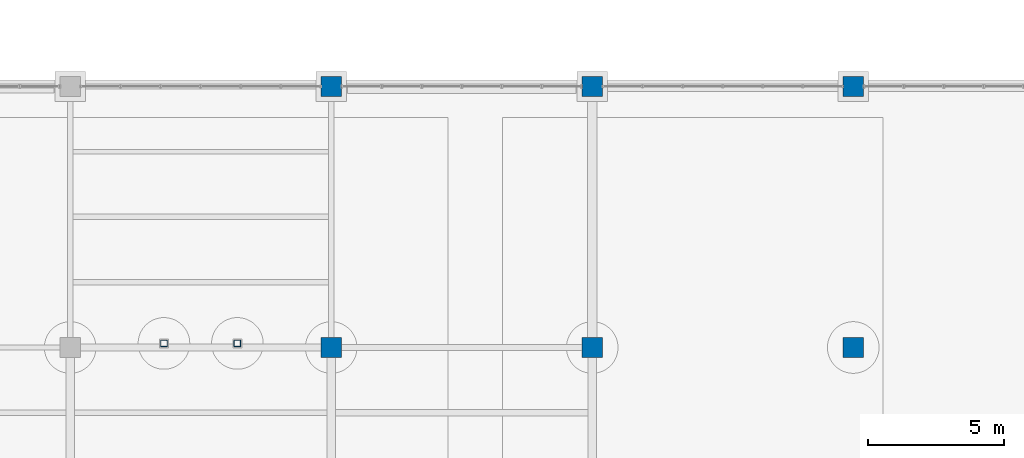
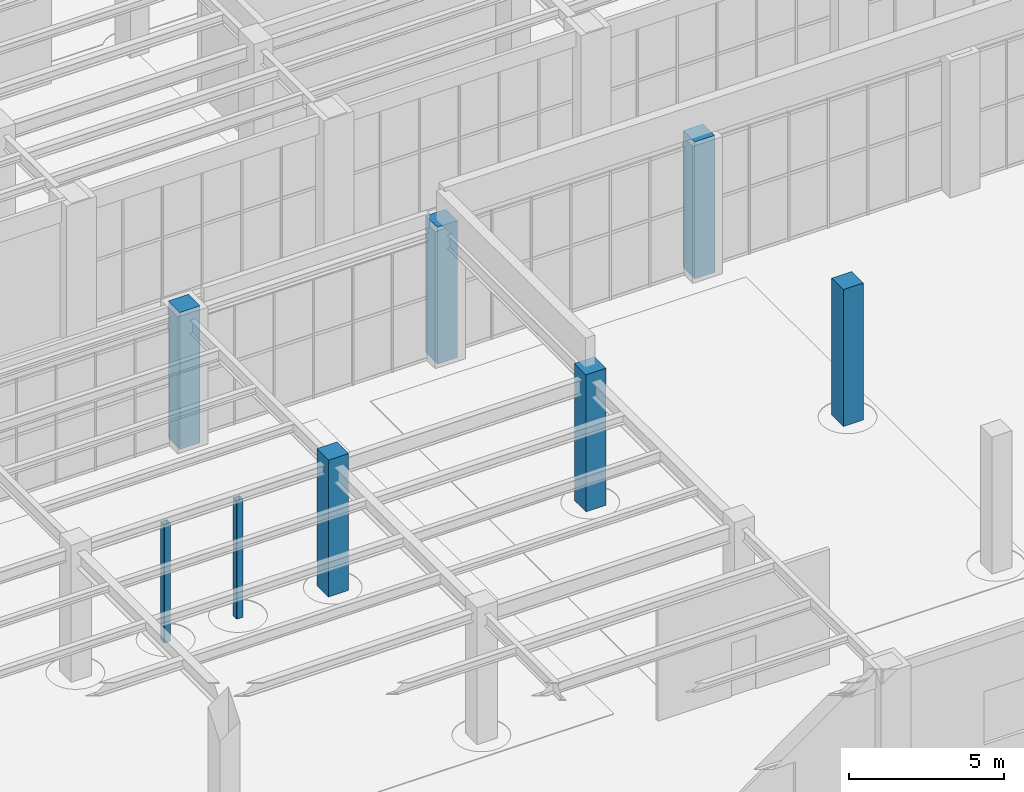
# One storey, part 19 of 164: 8 columns.
"""IFC4 building model written with IfcOpenShell, lengths in metres."""

from ifc_helpers import new_model, si_unit, direction, frame, origin, origin_2d, place, context, subcontext, project, spatial, rectangle, hollow_rectangle, extrude, material, material_profile, profile_set, type_object, element, save


model = new_model("IFC4")

# Units and contexts
model_context = context("Model", 3, precision=1e-05, world=origin(), true_north=direction((0.0, 1.0)))
body_context = subcontext(model_context, "Body", "Model", "MODEL_VIEW")
ifc_project = project(units=[si_unit("LENGTHUNIT", "METRE"), si_unit("AREAUNIT", "SQUARE_METRE"), si_unit("VOLUMEUNIT", "CUBIC_METRE"), si_unit("PLANEANGLEUNIT", "RADIAN"), si_unit("MASSUNIT", "GRAM", prefix="KILO")], contexts=[model_context])

# Site, building, storey
site_placement = place(None, origin())
site = spatial("IfcSite", under=ifc_project, at=site_placement, CompositionType="ELEMENT")
building_placement = place(site_placement, origin())
building = spatial("IfcBuilding", under=site, at=building_placement, Name="Mavantir Sound Aquarium", CompositionType="ELEMENT")
storey_placement = place(building_placement, origin())
storey = spatial("IfcBuildingStorey", under=building, at=storey_placement, Name="L00", CompositionType="ELEMENT", Elevation=0.0)

# Columns
ifc_material_1 = material(Name="Concrete C40/50", Category="concrete")
ifc_material_profile_1 = material_profile(ifc_material_1, rectangle(XDim=0.75, YDim=0.75, at=origin_2d()), Name="RC 750X750")
ifc_profile_set_1 = profile_set([ifc_material_profile_1], Name="Concrete C40/50")
column_type_1 = type_object("IfcColumnType", Name="COL-RC750-I", PredefinedType="COLUMN", material=ifc_profile_set_1)
for number, where, z_axis, x_axis, name in (
    (1, (136.800048828125, 19.199951171875, 0.0), (0.0, 0.0, 1.0), (1.0, 0.0, 0.0), "L00 column RC-C75 (V6)"),
    (2, (136.800048828125, 28.800048828125, 0.0), (0.0, 0.0, 1.0), (1.0, 0.0, 0.0), "L00 column RC-C75 (V6)"),
    (3, (146.39990234375, 19.199951171875, 0.0), (0.0, 0.0, 1.0), (1.0, 0.0, 0.0), "L00 column RC-C75 (V6)"),
    (4, (146.39990234375, 28.800048828125, 0.0), (0.0, 0.0, 1.0), (1.0, 0.0, 0.0), "L00 column RC-C75 (V6)"),
    (5, (156.0, 19.199951171875, 0.0), (0.0, 0.0, 1.0), (1.0, 0.0, 0.0), "L00 column RC-C75 (V6)"),
    (6, (156.0, 28.800048828125, 0.0), (0.0, 0.0, 1.0), (1.0, 0.0, 0.0), "L00 column RC-C75 (V6)"),
):
    element("IfcColumn", number, at=place(storey_placement, frame(where, z_axis=z_axis, x_axis=x_axis)), inside=storey, type_object=column_type_1, Name=name, PredefinedType="COLUMN", context=body_context, shape_type="SweptSolid", body=[
        extrude(rectangle(XDim=0.75, YDim=0.75, at=origin_2d()), origin(), (0.0, 0.0, 1.0), 5.39990234375),
    ])
ifc_material_2 = material(Name="Hollow Structural Steel ASTM A500 GrC", Category="steel")
ifc_material_profile_2 = material_profile(ifc_material_2, hollow_rectangle(XDim=0.25, YDim=0.25, WallThickness=0.012451171875, InnerFilletRadius=0.012451171875, OuterFilletRadius=0.02490234375, at=origin_2d()), Name="SHS 250X250X12.5")
ifc_profile_set_2 = profile_set([ifc_material_profile_2], Name="Hollow Structural Steel ASTM A500 GrC")
column_type_2 = type_object("IfcColumnType", Name="COL-SHS250-E", PredefinedType="COLUMN", material=ifc_profile_set_2)
for number, where, z_axis, x_axis, name in (
    (7, (130.64990234375, 19.35009765625, 0.0), (0.0, 0.0, 1.0), (1.0, 0.0, 0.0), "Bridge support column 4.1 (L00)"),
    (8, (133.35009765625, 19.35009765625, 0.0), (0.0, 0.0, 1.0), (1.0, 0.0, 0.0), "Bridge support column 4.3 (L00)"),
):
    element("IfcColumn", number, at=place(storey_placement, frame(where, z_axis=z_axis, x_axis=x_axis)), inside=storey, type_object=column_type_2, Name=name, PredefinedType="COLUMN", context=body_context, shape_type="SweptSolid", body=[
        extrude(hollow_rectangle(XDim=0.25, YDim=0.25, WallThickness=0.012451171875, InnerFilletRadius=0.012451171875, OuterFilletRadius=0.02490234375, at=origin_2d()), origin(), (0.0, 0.0, 1.0), 4.65087890625),
    ])

save(model, "model.ifc")
